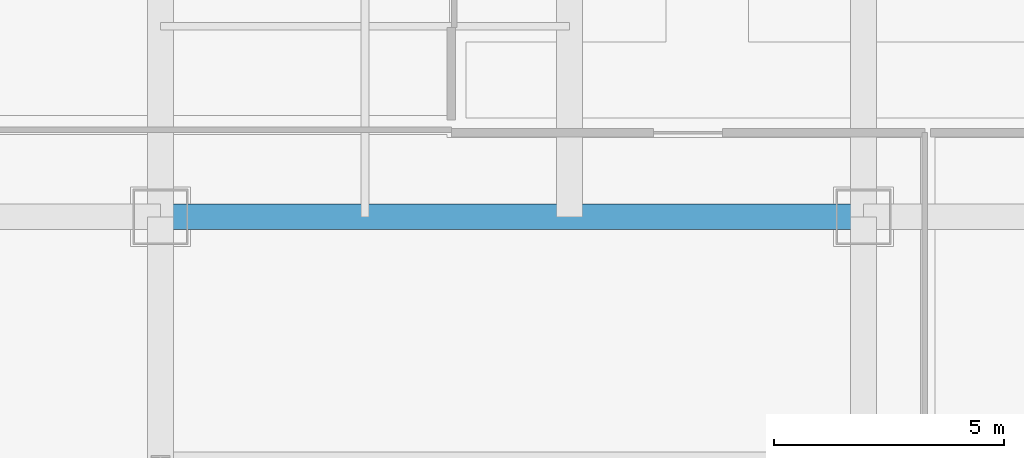
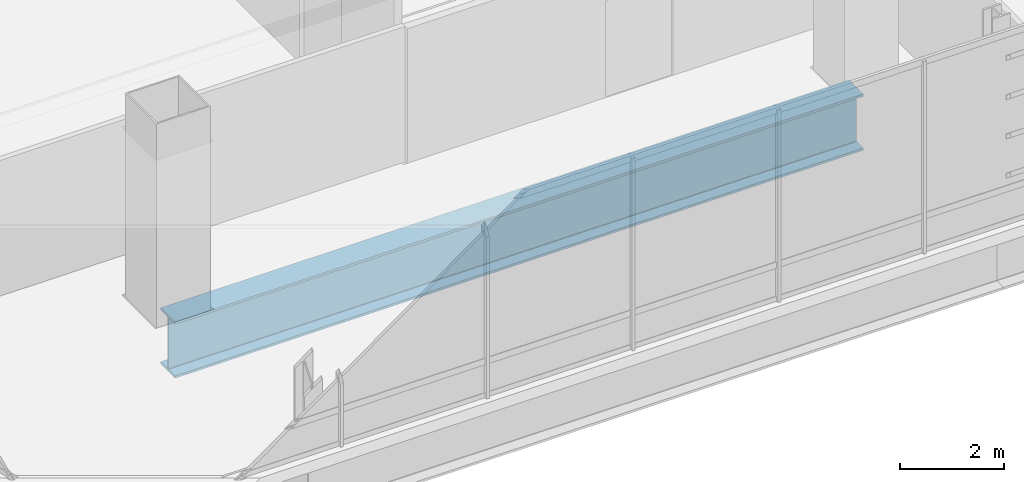
# One storey, part 4 of 45: 1 beam.
"""IFC4 building model written with IfcOpenShell, lengths in metres."""

from ifc_helpers import new_model, si_unit, direction, frame, origin, origin_2d, place, context, subcontext, project, spatial, i_section, extrude, material, material_profile, profile_set, type_object, element, save


model = new_model("IFC4")

# Units and contexts
model_context = context("Model", 3, precision=1e-05, world=origin(), true_north=direction((0.0, 1.0)))
body_context = subcontext(model_context, "Body", "Model", "MODEL_VIEW")
ifc_project = project(units=[si_unit("LENGTHUNIT", "METRE"), si_unit("AREAUNIT", "SQUARE_METRE"), si_unit("VOLUMEUNIT", "CUBIC_METRE"), si_unit("PLANEANGLEUNIT", "RADIAN"), si_unit("MASSUNIT", "GRAM", prefix="KILO")], contexts=[model_context])

# Site, building, storey
site_placement = place(None, origin())
site = spatial("IfcSite", under=ifc_project, at=site_placement, CompositionType="ELEMENT")
building_placement = place(site_placement, origin())
building = spatial("IfcBuilding", under=site, at=building_placement, Name="Punatoya Terracotta Tower", CompositionType="ELEMENT")
storey_placement = place(building_placement, frame((0.0, 0.0, 339.0)))
storey = spatial("IfcBuildingStorey", under=building, at=storey_placement, Name="L80", CompositionType="ELEMENT", Elevation=339.0)

# Beam
ifc_material = material(Name="Steel S460", Category="steel")
ifc_material_profile = material_profile(ifc_material, i_section(OverallWidth=0.56005859375, OverallDepth=1.320068359375, WebThickness=0.035888671875, FlangeThickness=0.054931640625, FilletRadius=0.01806640625, at=origin_2d()))
ifc_profile_set = profile_set([ifc_material_profile], Name="Steel S460")
beam_type = type_object("IfcBeamType", Name="BM-TG-BLK", PredefinedType="BEAM", material=ifc_profile_set)
beam_placement = place(storey_placement, frame((-19.10009765625, -17.5, -0.919921875), z_axis=(1.0, 0.0, 0.0), x_axis=(0.0, 1.0, 0.0)))
element("IfcBeam", 1, at=beam_placement, inside=storey, type_object=beam_type, Name="BM-L80-RG-S1", PredefinedType="BEAM", context=body_context, shape_type="SweptSolid", body=[
    extrude(i_section(OverallWidth=0.56005859375, OverallDepth=1.320068359375, WebThickness=0.035888671875, FlangeThickness=0.054931640625, FilletRadius=0.01806640625, at=origin_2d()), origin(), (0.0, 0.0, 1.0), 15.300048828125),
])

save(model, "model.ifc")
